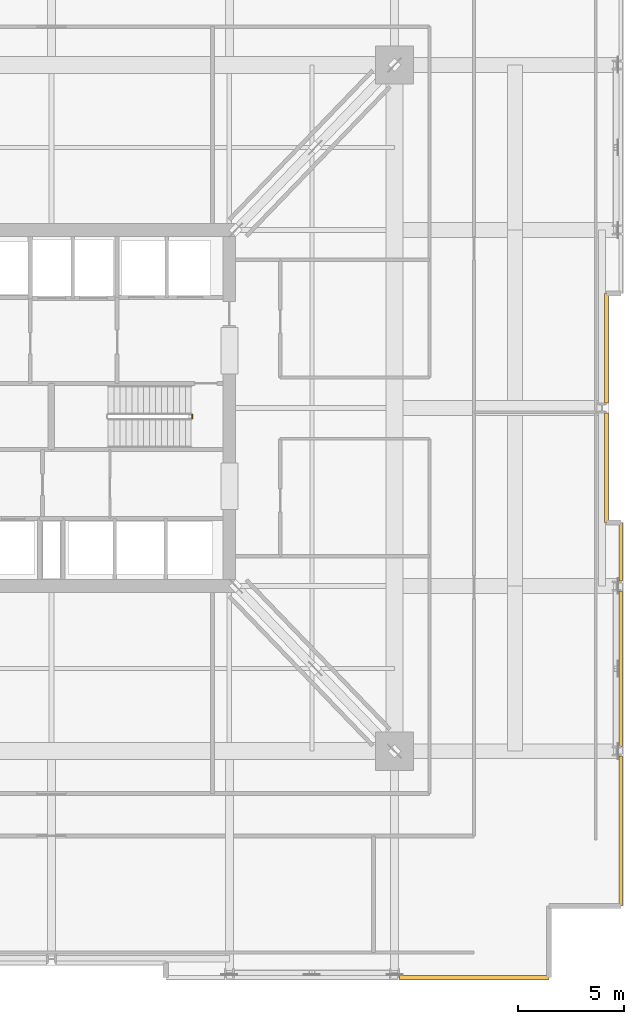
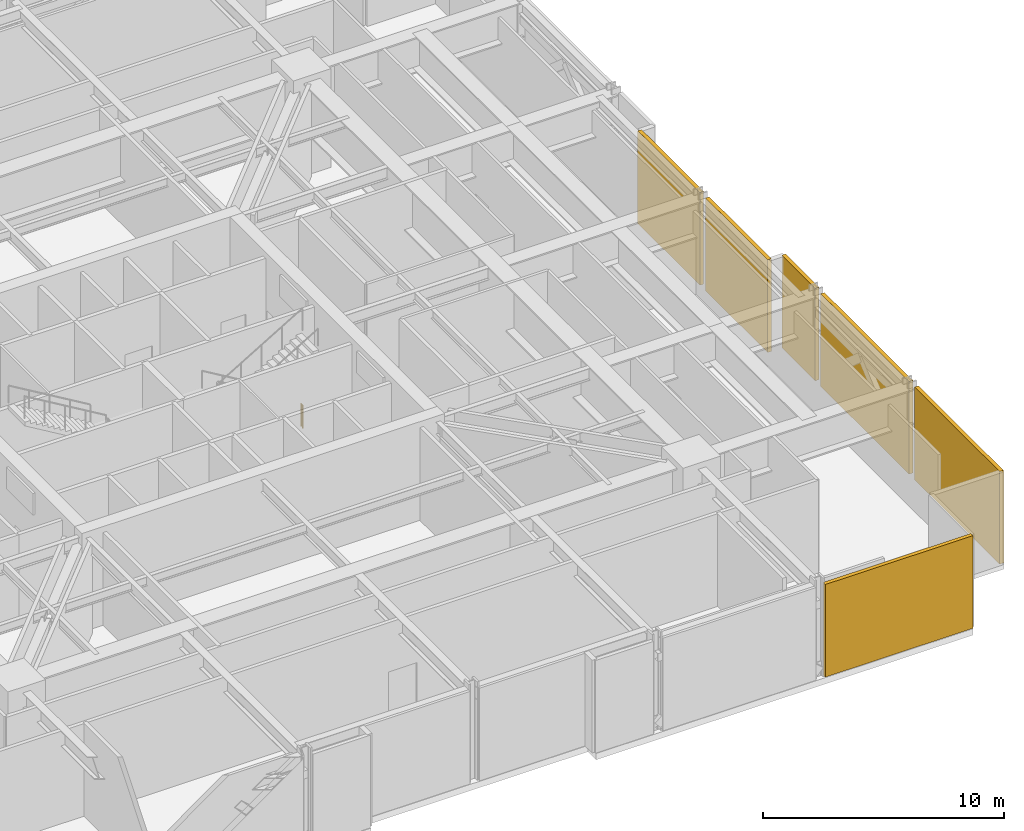
# One storey, part 12 of 13: 6 shading devices, 1 railing.
"""IFC4 building model written with IfcOpenShell, lengths in metres."""

from ifc_helpers import new_model, si_unit, direction, frame, origin, origin_2d, place, context, subcontext, project, spatial, rectangle, circle, extrude, material, layer, layer_set, type_object, element, save


model = new_model("IFC4")

# Units and contexts
model_context = context("Model", 3, precision=1e-05, world=origin(), true_north=direction((0.0, 1.0)))
body_context = subcontext(model_context, "Body", "Model", "MODEL_VIEW")
ifc_project = project(units=[si_unit("LENGTHUNIT", "METRE"), si_unit("AREAUNIT", "SQUARE_METRE"), si_unit("VOLUMEUNIT", "CUBIC_METRE"), si_unit("PLANEANGLEUNIT", "RADIAN"), si_unit("MASSUNIT", "GRAM", prefix="KILO")], contexts=[model_context])

# Site, building, storey
site_placement = place(None, origin())
site = spatial("IfcSite", under=ifc_project, at=site_placement, CompositionType="ELEMENT")
building_placement = place(site_placement, origin())
building = spatial("IfcBuilding", under=site, at=building_placement, Name="Drelvath Grand Hotel", CompositionType="ELEMENT")
storey_placement = place(building_placement, frame((0.0, 0.0, 82.199951171875)))
storey = spatial("IfcBuildingStorey", under=building, at=storey_placement, Name="L20", CompositionType="ELEMENT", Elevation=82.199951171875)

# Railing
ifc_material_1 = material(Name="Painted Steel S275", Category="steel")
railing_type = type_object("IfcRailingType", Name="Core Stair Well Guardrail 1100", PredefinedType="GUARDRAIL", material=ifc_material_1)
railing_placement = place(storey_placement, frame((6.64990234375, 26.679931640625, 0.0)))
element("IfcRailing", 1, at=railing_placement, inside=storey, type_object=railing_type, Name="L20 ST-2 stair guard 4", PredefinedType="GUARDRAIL", context=body_context, shape_type="SweptSolid", body=[
    extrude(circle(Radius=0.02392578125, at=origin_2d()), frame((0.0, 0.0, 1.1259765625), z_axis=(0.0, -1.0, 0.0), x_axis=(1.0, 0.0, 0.0)), (0.0, 0.0, 1.0), 0.159912109375),
    extrude(circle(Radius=0.02099609375, at=origin_2d()), origin(), (0.0, 0.0, 1.0), 1.101806640625),
    extrude(circle(Radius=0.02099609375, at=origin_2d()), frame((0.0, -0.159912109375, 0.0)), (0.0, 0.0, 1.0), 1.101806640625),
])

# Shading devices
ifc_material_2 = material(Name="Pale-Metal Anodised Aluminium Louvre", Category="aluminium")
ifc_layer = layer(ifc_material_2, 0.179931640625)
ifc_layer_set = layer_set([ifc_layer], Name="Pale-Metal Anodised Aluminium Louvre")
shading_device_type = type_object("IfcShadingDeviceType", Name="Mechanical Acoustic Weather Louvre Pale-Metal 180", PredefinedType="USERDEFINED", material=ifc_layer_set)
for number, where, z_axis, x_axis, name in (
    (2, (26.199951171875, 24.185546875, 0.0), (0.0, 0.0, 1.0), (0.0, 1.0, 0.0), "L20 Mechanical Plant Acoustic Louvre EM-1"),
    (3, (26.199951171875, 29.814453125, 0.0), (0.0, 0.0, 1.0), (0.0, 1.0, 0.0), "L20 Mechanical Plant Acoustic Louvre EM-2"),
):
    element("IfcShadingDevice", number, at=place(storey_placement, frame(where, z_axis=z_axis, x_axis=x_axis)), inside=storey, type_object=shading_device_type, Name=name, ObjectType="LOUVRE", PredefinedType="USERDEFINED", context=body_context, shape_type="SweptSolid", body=[
        extrude(rectangle(XDim=5.1708984375, YDim=0.179931640625, at=origin_2d()), origin(), (0.0, 0.0, 1.0), 4.699951171875),
    ])
shading_device_1_placement = place(storey_placement, frame((26.8798828125, 7.035400390625, 0.0), z_axis=(0.0, 0.0, 1.0), x_axis=(0.0, 1.0, 0.0)))
element("IfcShadingDevice", 4, at=shading_device_1_placement, inside=storey, type_object=shading_device_type, Name="L20 Mechanical Plant Acoustic Louvre ES-1", ObjectType="LOUVRE", PredefinedType="USERDEFINED", context=body_context, shape_type="SweptSolid", body=[
    extrude(rectangle(XDim=7.07080078125, YDim=0.179931640625, at=origin_2d()), origin(), (0.0, 0.0, 1.0), 4.699951171875),
])
shading_device_2_placement = place(storey_placement, frame((26.8798828125, 14.699951171875, 0.0), z_axis=(0.0, 0.0, 1.0), x_axis=(0.0, 1.0, 0.0)))
element("IfcShadingDevice", 5, at=shading_device_2_placement, inside=storey, type_object=shading_device_type, Name="L20 Mechanical Plant Acoustic Louvre ES-2", ObjectType="LOUVRE", PredefinedType="USERDEFINED", context=body_context, shape_type="SweptSolid", body=[
    extrude(rectangle(XDim=7.341796875, YDim=0.179931640625, at=origin_2d()), origin(), (0.0, 0.0, 1.0), 4.699951171875),
])
shading_device_3_placement = place(storey_placement, frame((26.8798828125, 20.214599609375, 0.0), z_axis=(0.0, 0.0, 1.0), x_axis=(0.0, 1.0, 0.0)))
element("IfcShadingDevice", 6, at=shading_device_3_placement, inside=storey, type_object=shading_device_type, Name="L20 Mechanical Plant Acoustic Louvre ES-3", ObjectType="LOUVRE", PredefinedType="USERDEFINED", context=body_context, shape_type="SweptSolid", body=[
    extrude(rectangle(XDim=2.77099609375, YDim=0.179931640625, at=origin_2d()), origin(), (0.0, 0.0, 1.0), 4.699951171875),
])
shading_device_4_placement = place(storey_placement, frame((19.964599609375, 0.1201171875, 0.0), z_axis=(0.0, 0.0, 1.0), x_axis=(1.0, 0.0, 0.0)))
element("IfcShadingDevice", 7, at=shading_device_4_placement, inside=storey, type_object=shading_device_type, Name="L20 Mechanical Plant Acoustic Louvre SE-3", ObjectType="LOUVRE", PredefinedType="USERDEFINED", context=body_context, shape_type="SweptSolid", body=[
    extrude(rectangle(XDim=7.07080078125, YDim=0.179931640625, at=origin_2d()), origin(), (0.0, 0.0, 1.0), 4.699951171875),
])

save(model, "model.ifc")
